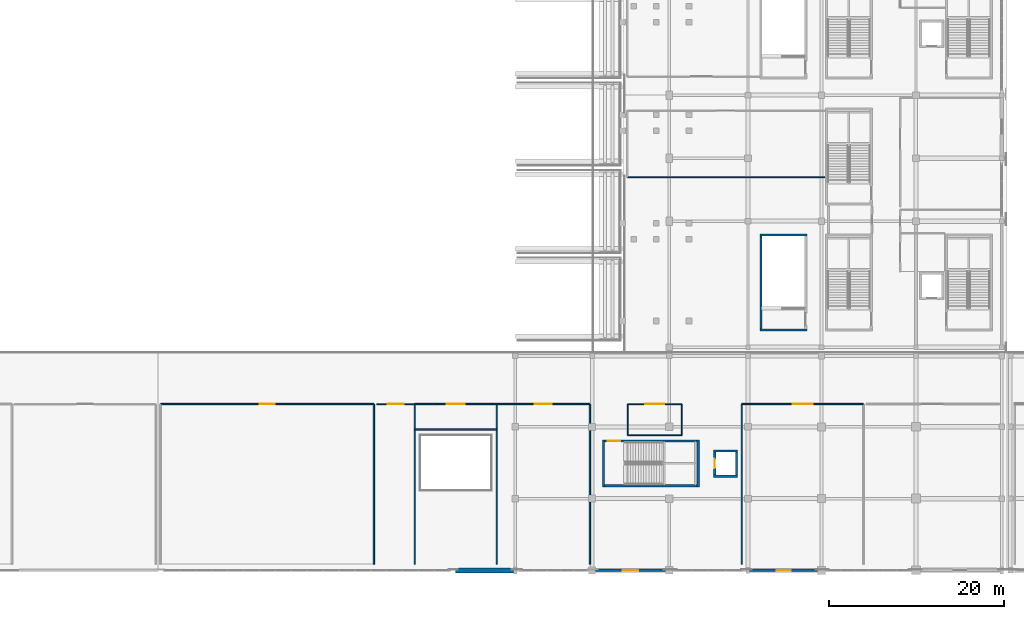
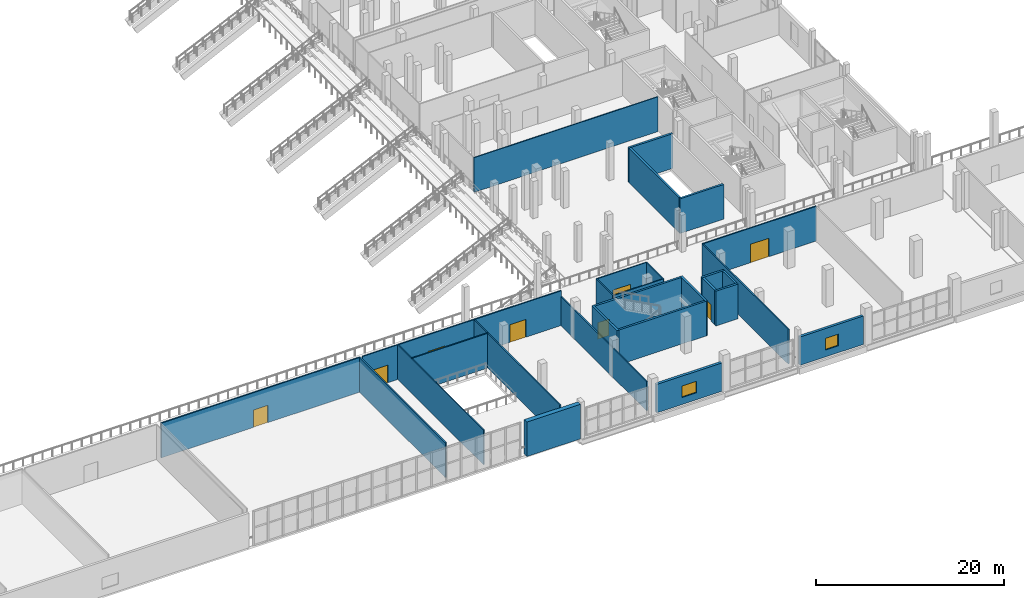
# One storey, part 78 of 129: 30 walls, 8 doors, 2 windows, 10 openings.
"""IFC4 building model written with IfcOpenShell, lengths in metres."""

from ifc_helpers import new_model, si_unit, direction, frame, frame_2d, origin, place, context, subcontext, project, spatial, rectangle, extrude, material, layer, layer_set, type_object, element, fill, save


model = new_model("IFC4")

# Units and contexts
model_context = context("Model", 3, precision=1e-05, world=origin(), true_north=direction((0.0, 1.0)))
body_context = subcontext(model_context, "Body", "Model", "MODEL_VIEW")
ifc_project = project(units=[si_unit("LENGTHUNIT", "METRE"), si_unit("AREAUNIT", "SQUARE_METRE"), si_unit("VOLUMEUNIT", "CUBIC_METRE"), si_unit("PLANEANGLEUNIT", "RADIAN"), si_unit("MASSUNIT", "GRAM", prefix="KILO")], contexts=[model_context])

# Site, building, storey
site_placement = place(None, origin())
site = spatial("IfcSite", under=ifc_project, at=site_placement, CompositionType="ELEMENT")
building_placement = place(site_placement, origin())
building = spatial("IfcBuilding", under=site, at=building_placement, Name="Koshinbarg Plaza Stadium", CompositionType="ELEMENT")
storey_placement = place(building_placement, frame((0.0, 0.0, 5.39990234375)))
storey = spatial("IfcBuildingStorey", under=building, at=storey_placement, Name="L01", CompositionType="ELEMENT", Elevation=5.39990234375)

# Walls
ifc_material_1 = material(Name="Concrete C40/50", Category="concrete")
ifc_layer_1 = layer(ifc_material_1, 0.25)
ifc_layer_set_1 = layer_set([ifc_layer_1], Name="Concrete C40/50")
wall_type_1 = type_object("IfcWallType", Name="WL-CORE-250", PredefinedType="SHEAR", material=ifc_layer_set_1)
for number, where, z_axis, x_axis, name in (
    (1, (172.875, 14.919921875, 0.0), (0.0, 0.0, 1.0), (0.0, -1.0, 0.0), "L01 core stair shear wall C14-near IWL-L01-0314"),
    (2, (183.72509765625, 9.550048828125, 0.0), (0.0, 0.0, 1.0), (0.0, 1.0, 0.0), "L01 core stair shear wall C14-far IWL-L01-0315"),
):
    element("IfcWall", number, at=place(storey_placement, frame(where, z_axis=z_axis, x_axis=x_axis)), inside=storey, type_object=wall_type_1, Name=name, PredefinedType="SHEAR", context=body_context, shape_type="SweptSolid", body=[
        extrude(rectangle(XDim=5.369873046875, YDim=0.25, at=frame_2d((2.68505859375, 0.0))), origin(), (0.0, 0.0, 1.0), 4.5),
    ])

# Wall, opening, door
wall_1_placement = place(storey_placement, frame((172.875, 14.794921875, 0.0), z_axis=(0.0, 0.0, 1.0), x_axis=(1.0, 0.0, 0.0)))
wall_1 = element("IfcWall", 3, at=wall_1_placement, inside=storey, type_object=wall_type_1, Name="L01 core stair shear wall C14-left IWL-L01-0316", PredefinedType="SHEAR", context=body_context, shape_type="SweptSolid", body=[
    extrude(rectangle(XDim=10.85009765625, YDim=0.25, at=frame_2d((5.425048828125, 0.0))), origin(), (0.0, 0.0, 1.0), 4.5),
])
opening_1_placement = place(wall_1_placement, frame((0.52001953125, 0.0, 0.0)))
opening_1 = element("IfcOpeningElement", 4, at=opening_1_placement, cuts=wall_1, Name="Opening D-0141", PredefinedType="OPENING", context=body_context, shape_type="SweptSolid", body=[
    extrude(rectangle(XDim=1.39990234375, YDim=2.14990234375, at=frame_2d((0.699951171875, 1.074951171875))), frame((0.0, 0.135009765625, 0.0), z_axis=(0.0, -1.0, 0.0), x_axis=(1.0, 0.0, 0.0)), (0.0, 0.0, 1.0), 0.27001953125),
])
ifc_material_2 = material(Name="Painted galvanized steel fire door", Category="steel")
door_type_1 = type_object("IfcDoorType", Name="DR-STAIR-1400", OperationType="NOTDEFINED", PredefinedType="DOOR", material=ifc_material_2)
door_1_placement = place(opening_1_placement, frame((1.39990234375, 0.0, 0.0), z_axis=(0.0, 0.0, 1.0), x_axis=(-1.0, 0.0, 0.0)))
door_1 = element("IfcDoor", 5, at=door_1_placement, inside=storey, type_object=door_type_1, Name="L01 exit stair door C14", OperationType="SINGLE_SWING_RIGHT", OverallHeight=2.14990234375, OverallWidth=1.39990234375, PredefinedType="DOOR", context=body_context, shape_type="SweptSolid", body=[
    extrude(rectangle(XDim=1.39990234375, YDim=2.14990234375, at=frame_2d((0.699951171875, 1.074951171875))), frame((0.0, 0.02490234375, 0.0), z_axis=(0.0, -1.0, 0.0), x_axis=(1.0, 0.0, 0.0)), (0.0, 0.0, 1.0), 0.050048828125),
])
fill(opening_1, door_1)

# Walls
wall_2_placement = place(storey_placement, frame((172.875, 9.675048828125, 0.0), z_axis=(0.0, 0.0, 1.0), x_axis=(1.0, 0.0, 0.0)))
element("IfcWall", 6, at=wall_2_placement, inside=storey, type_object=wall_type_1, Name="L01 core stair shear wall C14-right IWL-L01-0317", PredefinedType="SHEAR", context=body_context, shape_type="SweptSolid", body=[
    extrude(rectangle(XDim=10.85009765625, YDim=0.25, at=frame_2d((5.425048828125, 0.0))), origin(), (0.0, 0.0, 1.0), 4.5),
])
for number, where, z_axis, x_axis, name in (
    (7, (190.75, 27.47509765625, 0.0), (0.0, 0.0, 1.0), (1.0, 0.0, 0.0), "L01 vomitory stair shear wall VL05-near IWL-L01-0582"),
    (8, (196.1201171875, 38.324951171875, 0.0), (0.0, 0.0, 1.0), (-1.0, 0.0, 0.0), "L01 vomitory stair shear wall VL05-far IWL-L01-0583"),
):
    element("IfcWall", number, at=place(storey_placement, frame(where, z_axis=z_axis, x_axis=x_axis)), inside=storey, type_object=wall_type_1, Name=name, PredefinedType="SHEAR", context=body_context, shape_type="SweptSolid", body=[
        extrude(rectangle(XDim=5.3701171875, YDim=0.25, at=frame_2d((2.68505859375, 0.0))), origin(), (0.0, 0.0, 1.0), 4.5),
    ])
wall_3_placement = place(storey_placement, frame((190.875, 27.47509765625, 0.0), z_axis=(0.0, 0.0, 1.0), x_axis=(0.0, 1.0, 0.0)))
element("IfcWall", 9, at=wall_3_placement, inside=storey, type_object=wall_type_1, Name="L01 vomitory stair shear wall VL05-left IWL-L01-0584", PredefinedType="SHEAR", context=body_context, shape_type="SweptSolid", body=[
    extrude(rectangle(XDim=10.849853515625, YDim=0.25, at=frame_2d((5.4248046875, 0.0))), origin(), (0.0, 0.0, 1.0), 4.5),
])
for number, where, z_axis, x_axis, name in (
    (10, (185.47509765625, 10.75, 0.0), (0.0, 0.0, 1.0), (1.0, 0.0, 0.0), "L01 lift shaft shear wall LP10-S IWL-L01-1014"),
    (11, (188.22509765625, 13.64990234375, 0.0), (0.0, 0.0, 1.0), (-1.0, 0.0, 0.0), "L01 lift shaft shear wall LP10-N IWL-L01-1015"),
):
    element("IfcWall", number, at=place(storey_placement, frame(where, z_axis=z_axis, x_axis=x_axis)), inside=storey, type_object=wall_type_1, Name=name, PredefinedType="SHEAR", context=body_context, shape_type="SweptSolid", body=[
        extrude(rectangle(XDim=2.75, YDim=0.25, at=frame_2d((1.375, 0.0))), origin(), (0.0, 0.0, 1.0), 4.5),
    ])

# Wall, opening, door
wall_4_placement = place(storey_placement, frame((185.60009765625, 13.64990234375, 0.0), z_axis=(0.0, 0.0, 1.0), x_axis=(0.0, -1.0, 0.0)))
wall_4 = element("IfcWall", 12, at=wall_4_placement, inside=storey, type_object=wall_type_1, Name="L01 lift shaft shear wall LP10-W IWL-L01-1016", PredefinedType="SHEAR", context=body_context, shape_type="SweptSolid", body=[
    extrude(rectangle(XDim=2.89990234375, YDim=0.25, at=frame_2d((1.449951171875, 0.0))), origin(), (0.0, 0.0, 1.0), 4.5),
])
opening_2_placement = place(wall_4_placement, frame((0.925048828125, 0.0, 0.0)))
opening_2 = element("IfcOpeningElement", 13, at=opening_2_placement, cuts=wall_4, Name="Opening D-0323", PredefinedType="OPENING", context=body_context, shape_type="SweptSolid", body=[
    extrude(rectangle(XDim=1.050048828125, YDim=2.14990234375, at=frame_2d((0.52490234375, 1.074951171875))), frame((0.0, 0.135009765625, 0.0), z_axis=(0.0, -1.0, 0.0), x_axis=(1.0, 0.0, 0.0)), (0.0, 0.0, 1.0), 0.27001953125),
])
ifc_material_3 = material(Name="Brushed stainless steel sliding lift landing door", Category="steel")
door_type_2 = type_object("IfcDoorType", Name="DR-LIFT-1050", OperationType="NOTDEFINED", PredefinedType="DOOR", material=ifc_material_3)
door_2_placement = place(opening_2_placement, origin())
door_2 = element("IfcDoor", 14, at=door_2_placement, inside=storey, type_object=door_type_2, Name="L01 lift landing door LP10", OperationType="SLIDING_TO_LEFT", OverallHeight=2.14990234375, OverallWidth=1.050048828125, PredefinedType="DOOR", context=body_context, shape_type="SweptSolid", body=[
    extrude(rectangle(XDim=1.050048828125, YDim=2.14990234375, at=frame_2d((0.52490234375, 1.074951171875))), frame((0.0, 0.02490234375, 0.0), z_axis=(0.0, -1.0, 0.0), x_axis=(1.0, 0.0, 0.0)), (0.0, 0.0, 1.0), 0.050048828125),
])
fill(opening_2, door_2)

# Wall
wall_5_placement = place(storey_placement, frame((188.10009765625, 10.75, 0.0), z_axis=(0.0, 0.0, 1.0), x_axis=(0.0, 1.0, 0.0)))
element("IfcWall", 15, at=wall_5_placement, inside=storey, type_object=wall_type_1, Name="L01 lift shaft shear wall LP10-E IWL-L01-1017", PredefinedType="SHEAR", context=body_context, shape_type="SweptSolid", body=[
    extrude(rectangle(XDim=2.89990234375, YDim=0.25, at=frame_2d((1.449951171875, 0.0))), origin(), (0.0, 0.0, 1.0), 4.5),
])

# Wall, opening, window
ifc_material_4 = material(Name="Off-white mineral plaster insulated wall", Category="masonry")
ifc_layer_2 = layer(ifc_material_4, 0.300048828125)
ifc_layer_set_2 = layer_set([ifc_layer_2], Name="Off-white mineral plaster insulated wall")
wall_type_2 = type_object("IfcWallType", Name="WL-EXT-300", PredefinedType="SOLIDWALL", material=ifc_layer_set_2)
wall_6_placement = place(storey_placement, frame((197.35498046875, 0.0, 0.0), z_axis=(0.0, 0.0, 1.0), x_axis=(-1.0, 0.0, 0.0)))
wall_6 = element("IfcWall", 16, at=wall_6_placement, inside=storey, type_object=wall_type_2, Name="L01 exterior envelope wall EWL-L01-0101", PredefinedType="SOLIDWALL", context=body_context, shape_type="SweptSolid", body=[
    extrude(rectangle(XDim=7.760009765625, YDim=0.300048828125, at=frame_2d((3.8798828125, 0.0))), origin(), (0.0, 0.0, 1.0), 3.68017578125),
])
opening_3_placement = place(wall_6_placement, frame((3.080078125, 0.0, 0.89990234375)))
opening_3 = element("IfcOpeningElement", 17, at=opening_3_placement, cuts=wall_6, Name="Opening WN03", PredefinedType="OPENING", context=body_context, shape_type="SweptSolid", body=[
    extrude(rectangle(XDim=1.60009765625, YDim=1.5, at=frame_2d((0.800048828125, 0.75))), frame((0.0, 0.159912109375, 0.0), z_axis=(0.0, -1.0, 0.0), x_axis=(1.0, 0.0, 0.0)), (0.0, 0.0, 1.0), 0.320068359375),
])
ifc_material_5 = material(Name="Solar-control double glazing in thermally broken aluminium frame", Category="aluminium")
window_type_1 = type_object("IfcWindowType", Name="WN-FAC-03", PartitioningType="DOUBLE_PANEL_VERTICAL", PredefinedType="WINDOW", material=ifc_material_5)
window_1_placement = place(opening_3_placement, origin())
window_1 = element("IfcWindow", 18, at=window_1_placement, inside=storey, type_object=window_type_1, Name="L01 facade window 0041", OverallHeight=1.5, OverallWidth=1.60009765625, PartitioningType="SINGLE_PANEL", PredefinedType="WINDOW", context=body_context, shape_type="SweptSolid", body=[
    extrude(rectangle(XDim=1.60009765625, YDim=1.5, at=frame_2d((0.800048828125, 0.75))), frame((0.0, 0.030029296875, 0.0), z_axis=(0.0, -1.0, 0.0), x_axis=(1.0, 0.0, 0.0)), (0.0, 0.0, 1.0), 0.06005859375),
])
fill(opening_3, window_1)

ifc_material_6 = material(Name="Ultramarine-blue pigmented mineral plaster facade wall", Category="masonry")
ifc_layer_3 = layer(ifc_material_6, 0.320068359375)
ifc_layer_set_3 = layer_set([ifc_layer_3], Name="Ultramarine-blue pigmented mineral plaster facade wall")
wall_type_3 = type_object("IfcWallType", Name="WL-EXT-320", PredefinedType="SOLIDWALL", material=ifc_layer_set_3)
wall_7_placement = place(storey_placement, frame((179.97998046875, 0.0, 0.0), z_axis=(0.0, 0.0, 1.0), x_axis=(-1.0, 0.0, 0.0)))
wall_7 = element("IfcWall", 19, at=wall_7_placement, inside=storey, type_object=wall_type_3, Name="L01 exterior envelope wall EWL-L01-0102", PredefinedType="SOLIDWALL", context=body_context, shape_type="SweptSolid", body=[
    extrude(rectangle(XDim=7.98486328125, YDim=0.320068359375, at=frame_2d((3.992431640625, 0.0))), origin(), (0.0, 0.0, 1.0), 3.68017578125),
])
opening_4_placement = place(wall_7_placement, frame((3.092529296875, 0.0, 0.89990234375)))
opening_4 = element("IfcOpeningElement", 20, at=opening_4_placement, cuts=wall_7, Name="Opening WN04", PredefinedType="OPENING", context=body_context, shape_type="SweptSolid", body=[
    extrude(rectangle(XDim=1.800048828125, YDim=1.5, at=frame_2d((0.89990234375, 0.75))), frame((0.0, 0.169921875, 0.0), z_axis=(0.0, -1.0, 0.0), x_axis=(1.0, 0.0, 0.0)), (0.0, 0.0, 1.0), 0.340087890625),
])
window_type_2 = type_object("IfcWindowType", Name="WN-FAC-04", PartitioningType="DOUBLE_PANEL_VERTICAL", PredefinedType="WINDOW", material=ifc_material_5)
window_2_placement = place(opening_4_placement, origin())
window_2 = element("IfcWindow", 21, at=window_2_placement, inside=storey, type_object=window_type_2, Name="L01 facade window 0042", OverallHeight=1.5, OverallWidth=1.800048828125, PartitioningType="SINGLE_PANEL", PredefinedType="WINDOW", context=body_context, shape_type="SweptSolid", body=[
    extrude(rectangle(XDim=1.800048828125, YDim=1.5, at=frame_2d((0.89990234375, 0.75))), frame((0.0, 0.030029296875, 0.0), z_axis=(0.0, -1.0, 0.0), x_axis=(1.0, 0.0, 0.0)), (0.0, 0.0, 1.0), 0.06005859375),
])
fill(opening_4, window_2)

# Walls
ifc_material_7 = material(Name="Gypsum board metal-stud acoustic partition")
ifc_layer_4 = layer(ifc_material_7, 0.1201171875)
ifc_layer_set_4 = layer_set([ifc_layer_4], Name="Gypsum board metal-stud acoustic partition")
wall_type_4 = type_object("IfcWallType", Name="WL-PART-120", PredefinedType="PARTITIONING", material=ifc_layer_set_4)
wall_8_placement = place(storey_placement, frame((175.60009765625, 44.946533203125, 0.0), z_axis=(0.0, 0.0, 1.0), x_axis=(1.0, 0.0, 0.0)))
element("IfcWall", 22, at=wall_8_placement, inside=storey, type_object=wall_type_4, Name="L01 interior partition L01-98-south IWL-L01-1400", PredefinedType="PARTITIONING", context=body_context, shape_type="SweptSolid", body=[
    extrude(rectangle(XDim=22.56982421875, YDim=0.1201171875, at=frame_2d((11.284912109375, 0.0))), origin(), (0.0, 0.0, 1.0), 4.5),
])
wall_9_placement = place(storey_placement, frame((151.320068359375, 0.699951171875, 0.0), z_axis=(0.0, 0.0, 1.0), x_axis=(0.0, 1.0, 0.0)))
element("IfcWall", 23, at=wall_9_placement, inside=storey, type_object=wall_type_4, Name="L01 interior partition L01-149-east IWL-L01-1541", PredefinedType="PARTITIONING", context=body_context, shape_type="SweptSolid", body=[
    extrude(rectangle(XDim=18.300048828125, YDim=0.1201171875, at=frame_2d((9.14990234375, 0.0))), origin(), (0.0, 0.0, 1.0), 4.5),
])

# Wall, opening, door
wall_10_placement = place(storey_placement, frame((151.320068359375, 19.0, 0.0), z_axis=(0.0, 0.0, 1.0), x_axis=(-1.0, 0.0, 0.0)))
wall_10 = element("IfcWall", 24, at=wall_10_placement, inside=storey, type_object=wall_type_4, Name="L01 interior partition L01-149-north IWL-L01-1542", PredefinedType="PARTITIONING", context=body_context, shape_type="SweptSolid", body=[
    extrude(rectangle(XDim=4.3701171875, YDim=0.1201171875, at=frame_2d((2.18505859375, 0.0))), origin(), (0.0, 0.0, 1.0), 4.5),
])
opening_5_placement = place(wall_10_placement, frame((1.2548828125, 0.0, 0.0)))
opening_5 = element("IfcOpeningElement", 25, at=opening_5_placement, cuts=wall_10, Name="Opening D-0515", PredefinedType="OPENING", context=body_context, shape_type="SweptSolid", body=[
    extrude(rectangle(XDim=1.860107421875, YDim=2.300048828125, at=frame_2d((0.93017578125, 1.14990234375))), frame((0.0, 0.070068359375, 0.0), z_axis=(0.0, -1.0, 0.0), x_axis=(1.0, 0.0, 0.0)), (0.0, 0.0, 1.0), 0.14013671875),
])
ifc_material_8 = material(Name="Acoustic solid-core walnut veneer fire door")
door_type_3 = type_object("IfcDoorType", Name="DR-INT-1860x2300", OperationType="NOTDEFINED", PredefinedType="DOOR", material=ifc_material_8)
door_3_placement = place(opening_5_placement, origin())
door_3 = element("IfcDoor", 26, at=door_3_placement, inside=storey, type_object=door_type_3, Name="L01 South Public Concourse door D-0515", OperationType="DOUBLE_DOOR_SINGLE_SWING", OverallHeight=2.300048828125, OverallWidth=1.860107421875, PredefinedType="DOOR", context=body_context, shape_type="SweptSolid", body=[
    extrude(rectangle(XDim=1.860107421875, YDim=2.300048828125, at=frame_2d((0.93017578125, 1.14990234375))), frame((0.0, 0.02490234375, 0.0), z_axis=(0.0, -1.0, 0.0), x_axis=(1.0, 0.0, 0.0)), (0.0, 0.0, 1.0), 0.050048828125),
])
fill(opening_5, door_3)

# Walls
wall_11_placement = place(storey_placement, frame((175.679931640625, 15.449951171875, 0.0), z_axis=(0.0, 0.0, 1.0), x_axis=(1.0, 0.0, 0.0)))
element("IfcWall", 27, at=wall_11_placement, inside=storey, type_object=wall_type_4, Name="L01 interior partition L01-152-south IWL-L01-1548", PredefinedType="PARTITIONING", context=body_context, shape_type="SweptSolid", body=[
    extrude(rectangle(XDim=6.14013671875, YDim=0.1201171875, at=frame_2d((3.070068359375, 0.0))), origin(), (0.0, 0.0, 1.0), 4.5),
])
wall_12_placement = place(storey_placement, frame((181.820068359375, 15.449951171875, 0.0), z_axis=(0.0, 0.0, 1.0), x_axis=(0.0, 1.0, 0.0)))
element("IfcWall", 28, at=wall_12_placement, inside=storey, type_object=wall_type_4, Name="L01 interior partition L01-152-east IWL-L01-1549", PredefinedType="PARTITIONING", context=body_context, shape_type="SweptSolid", body=[
    extrude(rectangle(XDim=3.550048828125, YDim=0.1201171875, at=frame_2d((1.77490234375, 0.0))), origin(), (0.0, 0.0, 1.0), 4.5),
])

# Wall, opening, door
wall_13_placement = place(storey_placement, frame((181.820068359375, 19.0, 0.0), z_axis=(0.0, 0.0, 1.0), x_axis=(-1.0, 0.0, 0.0)))
wall_13 = element("IfcWall", 29, at=wall_13_placement, inside=storey, type_object=wall_type_4, Name="L01 interior partition L01-152-north IWL-L01-1550", PredefinedType="PARTITIONING", context=body_context, shape_type="SweptSolid", body=[
    extrude(rectangle(XDim=6.14013671875, YDim=0.1201171875, at=frame_2d((3.070068359375, 0.0))), origin(), (0.0, 0.0, 1.0), 4.5),
])
opening_6_placement = place(wall_13_placement, frame((1.989990234375, 0.0, 0.0)))
opening_6 = element("IfcOpeningElement", 30, at=opening_6_placement, cuts=wall_13, Name="Opening D-0518", PredefinedType="OPENING", context=body_context, shape_type="SweptSolid", body=[
    extrude(rectangle(XDim=2.159912109375, YDim=2.35009765625, at=frame_2d((1.080078125, 1.175048828125))), frame((0.0, 0.070068359375, 0.0), z_axis=(0.0, -1.0, 0.0), x_axis=(1.0, 0.0, 0.0)), (0.0, 0.0, 1.0), 0.14013671875),
])
ifc_material_9 = material(Name="Galvanized painted steel double leaf door", Category="steel")
door_type_4 = type_object("IfcDoorType", Name="DR-INT-2160x2350", OperationType="NOTDEFINED", PredefinedType="DOOR", material=ifc_material_9)
door_4_placement = place(opening_6_placement, origin())
door_4 = element("IfcDoor", 31, at=door_4_placement, inside=storey, type_object=door_type_4, Name="L01 South Public Concourse door D-0518", OperationType="DOUBLE_DOOR_SINGLE_SWING", OverallHeight=2.35009765625, OverallWidth=2.159912109375, PredefinedType="DOOR", context=body_context, shape_type="SweptSolid", body=[
    extrude(rectangle(XDim=2.159912109375, YDim=2.35009765625, at=frame_2d((1.080078125, 1.175048828125))), frame((0.0, 0.02490234375, 0.0), z_axis=(0.0, -1.0, 0.0), x_axis=(1.0, 0.0, 0.0)), (0.0, 0.0, 1.0), 0.050048828125),
])
fill(opening_6, door_4)

# Walls
wall_14_placement = place(storey_placement, frame((175.679931640625, 19.0, 0.0), z_axis=(0.0, 0.0, 1.0), x_axis=(0.0, -1.0, 0.0)))
element("IfcWall", 32, at=wall_14_placement, inside=storey, type_object=wall_type_4, Name="L01 interior partition L01-152-west IWL-L01-1551", PredefinedType="PARTITIONING", context=body_context, shape_type="SweptSolid", body=[
    extrude(rectangle(XDim=3.550048828125, YDim=0.1201171875, at=frame_2d((1.77490234375, 0.0))), origin(), (0.0, 0.0, 1.0), 4.5),
])
ifc_material_10 = material(Name="Double-layer gypsum acoustic suite partition")
ifc_layer_5 = layer(ifc_material_10, 0.14990234375)
ifc_layer_set_5 = layer_set([ifc_layer_5], Name="Double-layer gypsum acoustic suite partition")
wall_type_5 = type_object("IfcWallType", Name="WL-PART-150", PredefinedType="PARTITIONING", material=ifc_layer_set_5)
wall_15_placement = place(storey_placement, frame((146.64990234375, 0.699951171875, 0.0), z_axis=(0.0, 0.0, 1.0), x_axis=(0.0, 1.0, 0.0)))
element("IfcWall", 33, at=wall_15_placement, inside=storey, type_object=wall_type_5, Name="L01 interior partition L01-148-east IWL-L01-1538", PredefinedType="PARTITIONING", context=body_context, shape_type="SweptSolid", body=[
    extrude(rectangle(XDim=18.300048828125, YDim=0.14990234375, at=frame_2d((9.14990234375, 0.0))), origin(), (0.0, 0.0, 1.0), 4.5),
])

# Wall, opening, door
wall_16_placement = place(storey_placement, frame((146.64990234375, 19.0, 0.0), z_axis=(0.0, 0.0, 1.0), x_axis=(-1.0, 0.0, 0.0)))
wall_16 = element("IfcWall", 34, at=wall_16_placement, inside=storey, type_object=wall_type_5, Name="L01 interior partition L01-148-north IWL-L01-1539", PredefinedType="PARTITIONING", context=body_context, shape_type="SweptSolid", body=[
    extrude(rectangle(XDim=24.3798828125, YDim=0.14990234375, at=frame_2d((12.18994140625, 0.0))), origin(), (0.0, 0.0, 1.0), 4.5),
])
opening_7_placement = place(wall_16_placement, frame((11.31005859375, 0.0, 0.0)))
opening_7 = element("IfcOpeningElement", 35, at=opening_7_placement, cuts=wall_16, Name="Opening D-0514", PredefinedType="OPENING", context=body_context, shape_type="SweptSolid", body=[
    extrude(rectangle(XDim=1.760009765625, YDim=2.25, at=frame_2d((0.8798828125, 1.125))), frame((0.0, 0.0849609375, 0.0), z_axis=(0.0, -1.0, 0.0), x_axis=(1.0, 0.0, 0.0)), (0.0, 0.0, 1.0), 0.169921875),
])
ifc_material_11 = material(Name="Solid-core oak veneer double swing door")
door_type_5 = type_object("IfcDoorType", Name="DR-INT-1760x2250", OperationType="NOTDEFINED", PredefinedType="DOOR", material=ifc_material_11)
door_5_placement = place(opening_7_placement, origin())
door_5 = element("IfcDoor", 36, at=door_5_placement, inside=storey, type_object=door_type_5, Name="L01 Television Interview Studio door D-0514", OperationType="DOUBLE_DOOR_SINGLE_SWING", OverallHeight=2.25, OverallWidth=1.760009765625, PredefinedType="DOOR", context=body_context, shape_type="SweptSolid", body=[
    extrude(rectangle(XDim=1.760009765625, YDim=2.25, at=frame_2d((0.8798828125, 1.125))), frame((0.0, 0.02490234375, 0.0), z_axis=(0.0, -1.0, 0.0), x_axis=(1.0, 0.0, 0.0)), (0.0, 0.0, 1.0), 0.050048828125),
])
fill(opening_7, door_5)

# Wall
wall_17_placement = place(storey_placement, frame((171.330078125, 0.699951171875, 0.0), z_axis=(0.0, 0.0, 1.0), x_axis=(0.0, 1.0, 0.0)))
element("IfcWall", 37, at=wall_17_placement, inside=storey, type_object=wall_type_5, Name="L01 interior partition L01-150-east IWL-L01-1543", PredefinedType="PARTITIONING", context=body_context, shape_type="SweptSolid", body=[
    extrude(rectangle(XDim=18.300048828125, YDim=0.14990234375, at=frame_2d((9.14990234375, 0.0))), origin(), (0.0, 0.0, 1.0), 3.780029296875),
])

# Wall, opening, door
wall_18_placement = place(storey_placement, frame((171.330078125, 19.0, 0.0), z_axis=(0.0, 0.0, 1.0), x_axis=(-1.0, 0.0, 0.0)))
wall_18 = element("IfcWall", 38, at=wall_18_placement, inside=storey, type_object=wall_type_5, Name="L01 interior partition L01-150-north IWL-L01-1544", PredefinedType="PARTITIONING", context=body_context, shape_type="SweptSolid", body=[
    extrude(rectangle(XDim=10.650146484375, YDim=0.14990234375, at=frame_2d((5.3251953125, 0.0))), origin(), (0.0, 0.0, 1.0), 4.5),
])
opening_8_placement = place(wall_18_placement, frame((4.344970703125, 0.0, 0.0)))
opening_8 = element("IfcOpeningElement", 39, at=opening_8_placement, cuts=wall_18, Name="Opening D-0516", PredefinedType="OPENING", context=body_context, shape_type="SweptSolid", body=[
    extrude(rectangle(XDim=1.9599609375, YDim=2.300048828125, at=frame_2d((0.97998046875, 1.14990234375))), frame((0.0, 0.0849609375, 0.0), z_axis=(0.0, -1.0, 0.0), x_axis=(1.0, 0.0, 0.0)), (0.0, 0.0, 1.0), 0.169921875),
])
ifc_material_12 = material(Name="Bronze-anodised aluminium glazed double door", Category="aluminium")
door_type_6 = type_object("IfcDoorType", Name="DR-INT-1960x2300", OperationType="NOTDEFINED", PredefinedType="DOOR", material=ifc_material_12)
door_6_placement = place(opening_8_placement, origin())
door_6 = element("IfcDoor", 40, at=door_6_placement, inside=storey, type_object=door_type_6, Name="L01 Media Mixed Zone Hall door D-0516", OperationType="DOUBLE_DOOR_SINGLE_SWING", OverallHeight=2.300048828125, OverallWidth=1.9599609375, PredefinedType="DOOR", context=body_context, shape_type="SweptSolid", body=[
    extrude(rectangle(XDim=1.9599609375, YDim=2.300048828125, at=frame_2d((0.97998046875, 1.14990234375))), frame((0.0, 0.02490234375, 0.0), z_axis=(0.0, -1.0, 0.0), x_axis=(1.0, 0.0, 0.0)), (0.0, 0.0, 1.0), 0.050048828125),
])
fill(opening_8, door_6)

# Walls
wall_19_placement = place(storey_placement, frame((160.679931640625, 19.0, 0.0), z_axis=(0.0, 0.0, 1.0), x_axis=(0.0, -1.0, 0.0)))
element("IfcWall", 41, at=wall_19_placement, inside=storey, type_object=wall_type_5, Name="L01 interior partition L01-150-west IWL-L01-1545", PredefinedType="PARTITIONING", context=body_context, shape_type="SweptSolid", body=[
    extrude(rectangle(XDim=18.300048828125, YDim=0.14990234375, at=frame_2d((9.14990234375, 0.0))), origin(), (0.0, 0.0, 1.0), 4.5),
])
wall_20_placement = place(storey_placement, frame((151.320068359375, 16.080078125, 0.0), z_axis=(0.0, 0.0, 1.0), x_axis=(1.0, 0.0, 0.0)))
element("IfcWall", 42, at=wall_20_placement, inside=storey, type_object=wall_type_5, Name="L01 interior partition L01-151-south IWL-L01-1546", PredefinedType="PARTITIONING", context=body_context, shape_type="SweptSolid", body=[
    extrude(rectangle(XDim=9.35986328125, YDim=0.14990234375, at=frame_2d((4.679931640625, 0.0))), origin(), (0.0, 0.0, 1.0), 4.5),
])

# Wall, opening, door
wall_21_placement = place(storey_placement, frame((160.679931640625, 19.0, 0.0), z_axis=(0.0, 0.0, 1.0), x_axis=(-1.0, 0.0, 0.0)))
wall_21 = element("IfcWall", 43, at=wall_21_placement, inside=storey, type_object=wall_type_5, Name="L01 interior partition L01-151-north IWL-L01-1547", PredefinedType="PARTITIONING", context=body_context, shape_type="SweptSolid", body=[
    extrude(rectangle(XDim=9.35986328125, YDim=0.14990234375, at=frame_2d((4.679931640625, 0.0))), origin(), (0.0, 0.0, 1.0), 4.5),
])
opening_9_placement = place(wall_21_placement, frame((3.639892578125, 0.0, 0.0)))
opening_9 = element("IfcOpeningElement", 44, at=opening_9_placement, cuts=wall_21, Name="Opening D-0517", PredefinedType="OPENING", context=body_context, shape_type="SweptSolid", body=[
    extrude(rectangle(XDim=2.080078125, YDim=2.35009765625, at=frame_2d((1.0400390625, 1.175048828125))), frame((0.0, 0.0849609375, 0.0), z_axis=(0.0, -1.0, 0.0), x_axis=(1.0, 0.0, 0.0)), (0.0, 0.0, 1.0), 0.169921875),
])
ifc_material_13 = material(Name="Laminated safety glass aluminium vestibule door", Category="aluminium")
door_type_7 = type_object("IfcDoorType", Name="DR-INT-2080x2350", OperationType="NOTDEFINED", PredefinedType="DOOR", material=ifc_material_13)
door_7_placement = place(opening_9_placement, origin())
door_7 = element("IfcDoor", 45, at=door_7_placement, inside=storey, type_object=door_type_7, Name="L01 Athlete Recovery Lounge door D-0517", OperationType="DOUBLE_DOOR_SINGLE_SWING", OverallHeight=2.35009765625, OverallWidth=2.080078125, PredefinedType="DOOR", context=body_context, shape_type="SweptSolid", body=[
    extrude(rectangle(XDim=2.080078125, YDim=2.35009765625, at=frame_2d((1.0400390625, 1.175048828125))), frame((0.0, 0.02490234375, 0.0), z_axis=(0.0, -1.0, 0.0), x_axis=(1.0, 0.0, 0.0)), (0.0, 0.0, 1.0), 0.050048828125),
])
fill(opening_9, door_7)

wall_22_placement = place(storey_placement, frame((202.59326171875, 19.0, 0.0), z_axis=(0.0, 0.0, 1.0), x_axis=(-1.0, 0.0, 0.0)))
wall_22 = element("IfcWall", 46, at=wall_22_placement, inside=storey, type_object=wall_type_5, Name="L01 interior partition L01-153-north IWL-L01-1553", PredefinedType="PARTITIONING", context=body_context, shape_type="SweptSolid", body=[
    extrude(rectangle(XDim=13.913330078125, YDim=0.14990234375, at=frame_2d((6.95654296875, 0.0))), origin(), (0.0, 0.0, 1.0), 4.5),
])
opening_10_placement = place(wall_22_placement, frame((5.816650390625, 0.0, 0.0)))
opening_10 = element("IfcOpeningElement", 47, at=opening_10_placement, cuts=wall_22, Name="Opening D-0519", PredefinedType="OPENING", context=body_context, shape_type="SweptSolid", body=[
    extrude(rectangle(XDim=2.280029296875, YDim=2.39990234375, at=frame_2d((1.14013671875, 1.199951171875))), frame((0.0, 0.0849609375, 0.0), z_axis=(0.0, -1.0, 0.0), x_axis=(1.0, 0.0, 0.0)), (0.0, 0.0, 1.0), 0.169921875),
])
ifc_material_14 = material(Name="Anodised aluminium and laminated glass portal door", Category="aluminium")
door_type_8 = type_object("IfcDoorType", Name="DR-INT-2280x2400", OperationType="NOTDEFINED", PredefinedType="DOOR", material=ifc_material_14)
door_8_placement = place(opening_10_placement, origin())
door_8 = element("IfcDoor", 48, at=door_8_placement, inside=storey, type_object=door_type_8, Name="L01 Media Mixed Zone Hall door D-0519", OperationType="DOUBLE_DOOR_SINGLE_SWING", OverallHeight=2.39990234375, OverallWidth=2.280029296875, PredefinedType="DOOR", context=body_context, shape_type="SweptSolid", body=[
    extrude(rectangle(XDim=2.280029296875, YDim=2.39990234375, at=frame_2d((1.14013671875, 1.199951171875))), frame((0.0, 0.02490234375, 0.0), z_axis=(0.0, -1.0, 0.0), x_axis=(1.0, 0.0, 0.0)), (0.0, 0.0, 1.0), 0.050048828125),
])
fill(opening_10, door_8)

# Walls
wall_23_placement = place(storey_placement, frame((188.679931640625, 19.0, 0.0), z_axis=(0.0, 0.0, 1.0), x_axis=(0.0, -1.0, 0.0)))
element("IfcWall", 49, at=wall_23_placement, inside=storey, type_object=wall_type_5, Name="L01 interior partition L01-153-west IWL-L01-1554", PredefinedType="PARTITIONING", context=body_context, shape_type="SweptSolid", body=[
    extrude(rectangle(XDim=18.300048828125, YDim=0.14990234375, at=frame_2d((9.14990234375, 0.0))), origin(), (0.0, 0.0, 1.0), 4.5),
])
ifc_layer_6 = layer(ifc_material_1, 0.550048828125)
ifc_layer_set_6 = layer_set([ifc_layer_6], Name="Concrete C40/50")
wall_type_6 = type_object("IfcWallType", Name="WL-PYLON-550", PredefinedType="SHEAR", material=ifc_layer_set_6)
wall_24_placement = place(storey_placement, frame((162.580078125, 0.0, 0.0), z_axis=(0.0, 0.0, 1.0), x_axis=(-1.0, 0.0, 0.0)))
element("IfcWall", 50, at=wall_24_placement, inside=storey, type_object=wall_type_6, Name="L01 exterior shear pylon wall EWL-L01-0103", PredefinedType="SHEAR", context=body_context, shape_type="SweptSolid", body=[
    extrude(rectangle(XDim=6.580078125, YDim=0.550048828125, at=frame_2d((3.2900390625, 0.0))), origin(), (0.0, 0.0, 1.0), 4.47998046875),
])

save(model, "model.ifc")
